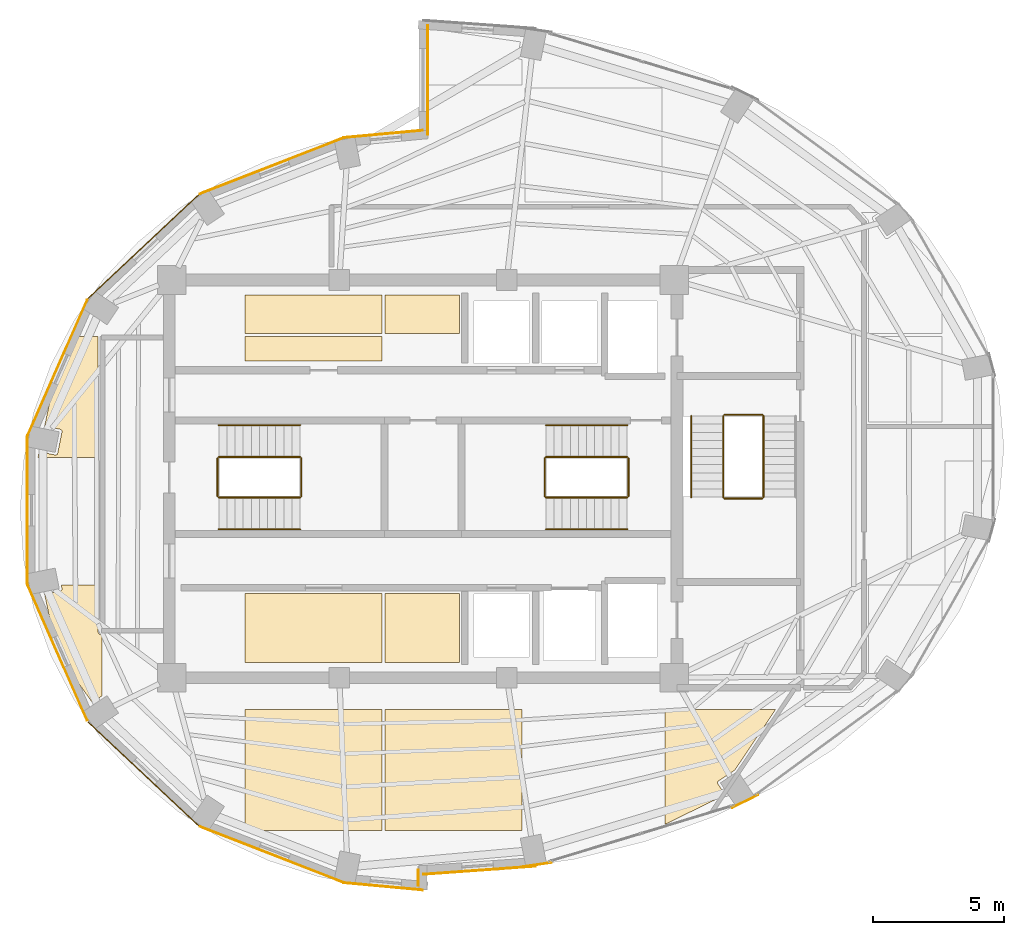
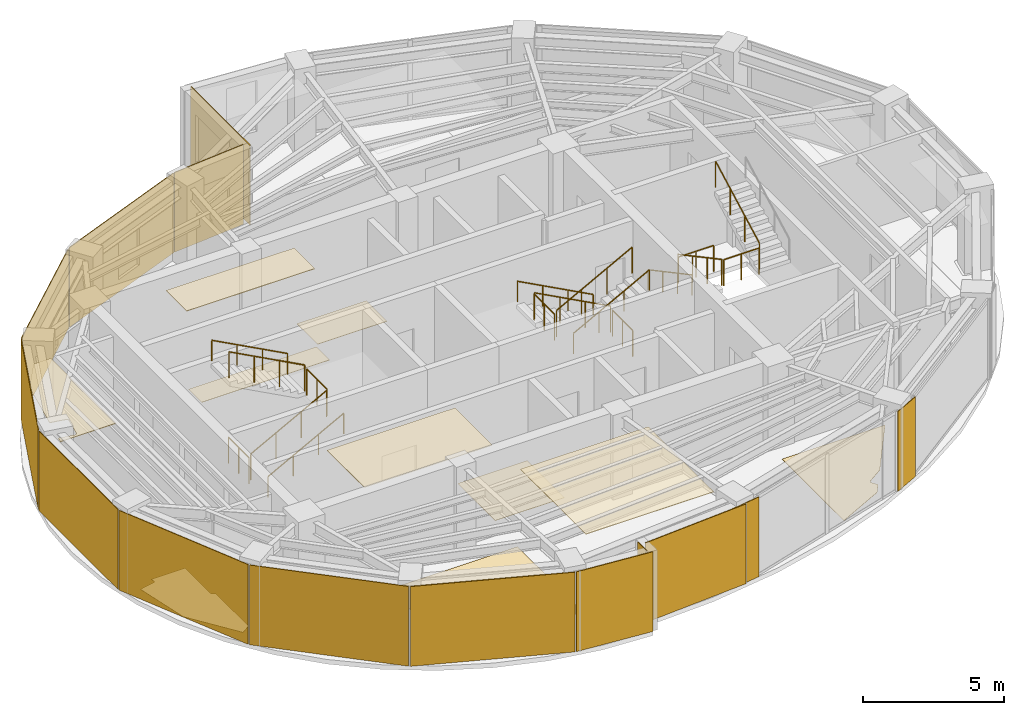
# One storey, part 11 of 12: 24 coverings, 17 railings.
"""IFC4 building model written with IfcOpenShell, lengths in metres."""

from ifc_helpers import new_model, si_unit, direction, frame, origin, origin_2d, place, context, subcontext, project, spatial, polyline, rectangle, circle, outline, extrude, material, layer, layer_set, type_object, element, save


model = new_model("IFC4")

# Units and contexts
model_context = context("Model", 3, precision=1e-05, world=origin(), true_north=direction((0.0, 1.0)))
body_context = subcontext(model_context, "Body", "Model", "MODEL_VIEW")
ifc_project = project(units=[si_unit("LENGTHUNIT", "METRE"), si_unit("AREAUNIT", "SQUARE_METRE"), si_unit("VOLUMEUNIT", "CUBIC_METRE"), si_unit("PLANEANGLEUNIT", "RADIAN"), si_unit("MASSUNIT", "GRAM", prefix="KILO")], contexts=[model_context])

# Site, building, storey
site_placement = place(None, origin())
site = spatial("IfcSite", under=ifc_project, at=site_placement, CompositionType="ELEMENT")
building_placement = place(site_placement, origin())
building = spatial("IfcBuilding", under=site, at=building_placement, Name="Lazwardi Medical Tower", CompositionType="ELEMENT")
storey_placement = place(building_placement, frame((0.0, 0.0, 291.50390625)))
storey = spatial("IfcBuildingStorey", under=building, at=storey_placement, Name="L76", CompositionType="ELEMENT", Elevation=291.50390625)

# Coverings
ifc_material_1 = material(Name="Anodised bronze aluminium cassette cladding", Category="aluminium")
ifc_layer_1 = layer(ifc_material_1, 0.030029296875)
ifc_layer_set_1 = layer_set([ifc_layer_1], Name="Anodised bronze aluminium cassette cladding")
covering_type_1 = type_object("IfcCoveringType", Name="COV-CLD-BRZ", PredefinedType="CLADDING", material=ifc_layer_set_1)
covering_1_placement = place(storey_placement, frame((40.3232421875, 13.25048828125, 0.0), z_axis=(0.0, 0.0, 1.0), x_axis=(0.989512431533, 0.144447733943, 0.0)))
element("IfcCovering", 1, at=covering_1_placement, inside=storey, type_object=covering_type_1, Name="L76 Mega-column bronze cassette cover M01", PredefinedType="CLADDING", context=body_context, shape_type="SweptSolid", body=[
    extrude(rectangle(XDim=1.188720703125, YDim=0.030029296875, at=origin_2d()), origin(), (0.0, 0.0, 1.0), 3.447998046875),
])
covering_2_placement = place(storey_placement, frame((48.311279296875, 15.6787109375, 0.0), z_axis=(0.0, 0.0, 1.0), x_axis=(0.897840141691, 0.440321564278, 0.0)))
element("IfcCovering", 2, at=covering_2_placement, inside=storey, type_object=covering_type_1, Name="L76 Mega-column bronze cassette cover M02", PredefinedType="CLADDING", context=body_context, shape_type="SweptSolid", body=[
    extrude(rectangle(XDim=1.110595703125, YDim=0.030029296875, at=origin_2d()), origin(), (0.0, 0.0, 1.0), 3.447998046875),
])
covering_3_placement = place(storey_placement, frame((25.31201171875, 36.870361328125, 0.0), z_axis=(0.0, 0.0, 1.0), x_axis=(-0.728254960063, -0.685306291481, 0.0)))
element("IfcCovering", 3, at=covering_3_placement, inside=storey, type_object=covering_type_1, Name="L76 West drum ceramic/bronze cladding", PredefinedType="CLADDING", context=body_context, shape_type="SweptSolid", body=[
    extrude(rectangle(XDim=5.78125, YDim=0.030029296875, at=origin_2d()), origin(), (0.0, 0.0, 1.0), 3.447998046875),
])
covering_4_placement = place(storey_placement, frame((22.032470703125, 32.25146484375, 0.0), z_axis=(0.0, 0.0, 1.0), x_axis=(-0.402877682365, -0.915253829848, 0.0)))
element("IfcCovering", 4, at=covering_4_placement, inside=storey, type_object=covering_type_1, Name="L76 West drum ceramic/bronze cladding", PredefinedType="CLADDING", context=body_context, shape_type="SweptSolid", body=[
    extrude(rectangle(XDim=5.65576171875, YDim=0.030029296875, at=origin_2d()), origin(), (0.0, 0.0, 1.0), 3.447998046875),
])
covering_5_placement = place(storey_placement, frame((20.880126953125, 26.800048828125, 0.0), z_axis=(0.0, 0.0, 1.0), x_axis=(0.0, -1.0, 0.0)))
element("IfcCovering", 5, at=covering_5_placement, inside=storey, type_object=covering_type_1, Name="L76 West drum ceramic/bronze cladding", PredefinedType="CLADDING", context=body_context, shape_type="SweptSolid", body=[
    extrude(rectangle(XDim=5.60302734375, YDim=0.030029296875, at=origin_2d()), origin(), (0.0, 0.0, 1.0), 3.447998046875),
])
covering_6_placement = place(storey_placement, frame((22.032470703125, 21.3486328125, 0.0), z_axis=(0.0, 0.0, 1.0), x_axis=(0.402877682365, -0.915253829848, 0.0)))
element("IfcCovering", 6, at=covering_6_placement, inside=storey, type_object=covering_type_1, Name="L76 West drum ceramic/bronze cladding", PredefinedType="CLADDING", context=body_context, shape_type="SweptSolid", body=[
    extrude(rectangle(XDim=5.65576171875, YDim=0.030029296875, at=origin_2d()), origin(), (0.0, 0.0, 1.0), 3.447998046875),
])
covering_7_placement = place(storey_placement, frame((25.31201171875, 16.7294921875, 0.0), z_axis=(0.0, 0.0, 1.0), x_axis=(0.728254960063, -0.685306291481, 0.0)))
element("IfcCovering", 7, at=covering_7_placement, inside=storey, type_object=covering_type_1, Name="L76 West drum ceramic/bronze cladding", PredefinedType="CLADDING", context=body_context, shape_type="SweptSolid", body=[
    extrude(rectangle(XDim=5.78125, YDim=0.030029296875, at=origin_2d()), origin(), (0.0, 0.0, 1.0), 3.447998046875),
])
ifc_material_2 = material(Name="Turquoise glazed ceramic tilework cladding", Category="masonry")
ifc_layer_2 = layer(ifc_material_2, 0.034912109375)
ifc_layer_set_2 = layer_set([ifc_layer_2], Name="Turquoise glazed ceramic tilework cladding")
covering_type_2 = type_object("IfcCoveringType", Name="COV-CLD-TRQ", PredefinedType="CLADDING", material=ifc_layer_set_2)
for number, where, z_axis, x_axis, name in (
    (8, (30.216064453125, 39.956787109375, 0.0), (0.0, 0.0, 1.0), (-0.931720388261, -0.363176428337, 0.0), "L76 West drum ceramic/bronze cladding"),
    (9, (30.216064453125, 13.64306640625, 0.0), (0.0, 0.0, 1.0), (0.931720388261, -0.363176428337, 0.0), "L76 West drum ceramic/bronze cladding"),
):
    element("IfcCovering", number, at=place(storey_placement, frame(where, z_axis=z_axis, x_axis=x_axis)), inside=storey, type_object=covering_type_2, Name=name, PredefinedType="CLADDING", context=body_context, shape_type="SweptSolid", body=[
        extrude(rectangle(XDim=5.904052734375, YDim=0.034912109375, at=origin_2d()), origin(), (0.0, 0.0, 1.0), 3.447998046875),
    ])
covering_8_placement = place(storey_placement, frame((38.16259765625, 13.0400390625, 0.0), z_axis=(0.0, 0.0, 1.0), x_axis=(0.997409491337, 0.071932653157, 0.0)))
element("IfcCovering", 10, at=covering_8_placement, inside=storey, type_object=covering_type_2, Name="L76 Turquoise glazed ceramic tilework cladding", PredefinedType="CLADDING", context=body_context, shape_type="SweptSolid", body=[
    extrude(rectangle(XDim=4.31103515625, YDim=0.034912109375, at=origin_2d()), origin(), (0.0, 0.0, 1.0), 3.447998046875),
])
for number, where, z_axis, x_axis, name in (
    (11, (34.4970703125, 41.177001953125, 0.0), (0.0, 0.0, 1.0), (-0.995733560537, -0.092275004312, 0.0), "L76 Turquoise glazed ceramic tilework cladding"),
    (12, (34.4970703125, 12.423095703125, 0.0), (0.0, 0.0, 1.0), (0.995733560537, -0.092275004312, 0.0), "L76 Turquoise glazed ceramic tilework cladding"),
):
    element("IfcCovering", number, at=place(storey_placement, frame(where, z_axis=z_axis, x_axis=x_axis)), inside=storey, type_object=covering_type_2, Name=name, PredefinedType="CLADDING", context=body_context, shape_type="SweptSolid", body=[
        extrude(rectangle(XDim=2.985595703125, YDim=0.034912109375, at=origin_2d()), origin(), (0.0, 0.0, 1.0), 3.447998046875),
    ])
covering_9_placement = place(storey_placement, frame((36.175537109375, 43.239990234375, 0.0), z_axis=(0.0, 0.0, 1.0), x_axis=(0.0, -1.0, 0.0)))
element("IfcCovering", 13, at=covering_9_placement, inside=storey, type_object=covering_type_2, Name="L76 Turquoise glazed ceramic tilework iwan panel", PredefinedType="CLADDING", context=body_context, shape_type="SweptSolid", body=[
    extrude(rectangle(XDim=4.199951171875, YDim=0.034912109375, at=origin_2d()), origin(), (0.0, 0.0, 1.0), 3.447998046875),
])
covering_10_placement = place(storey_placement, frame((35.824462890625, 12.760009765625, 0.0), z_axis=(0.0, 0.0, 1.0), x_axis=(0.0, 1.0, 0.0)))
element("IfcCovering", 14, at=covering_10_placement, inside=storey, type_object=covering_type_2, Name="L76 Turquoise glazed ceramic tilework iwan panel", PredefinedType="CLADDING", context=body_context, shape_type="SweptSolid", body=[
    extrude(rectangle(XDim=0.60009765625, YDim=0.034912109375, at=origin_2d()), origin(), (0.0, 0.0, 1.0), 3.447998046875),
])
ifc_material_3 = material(Name="Acoustic mineral fibre tile")
ifc_layer_3 = layer(ifc_material_3, 0.02490234375)
ifc_layer_set_3 = layer_set([ifc_layer_3], Name="Acoustic mineral fibre tile")
covering_type_3 = type_object("IfcCoveringType", Name="COV-CLG-01", PredefinedType="CEILING", material=ifc_layer_set_3)
covering_11_placement = place(storey_placement, frame((0.0, 0.0, 3.302978515625)))
element("IfcCovering", 15, at=covering_11_placement, inside=storey, type_object=covering_type_3, Name="L76 Clinical Acoustic Ceiling 1", PredefinedType="CEILING", context=body_context, shape_type="SweptSolid", body=[
    extrude(outline(polyline([(22.85791015625, 33.436279296875), (22.013427734375, 32.247314453125), (21.54052734375, 30.010498046875), (22.14111328125, 29.89111328125), (22.148681640625, 29.88916015625), (22.156005859375, 29.886474609375), (22.1630859375, 29.883056640625), (22.169921875, 29.87890625), (22.17626953125, 29.874267578125), (22.181884765625, 29.869140625), (22.187255859375, 29.86328125), (22.19189453125, 29.85693359375), (22.196044921875, 29.85009765625), (22.19921875, 29.843017578125), (22.201904296875, 29.835693359375), (22.203857421875, 29.828125), (22.205078125, 29.8203125), (22.205322265625, 29.8125), (22.205078125, 29.8046875), (22.203857421875, 29.796875), (22.0400390625, 28.97314453125), (22.0380859375, 28.965576171875), (22.035400390625, 28.9580078125), (22.031982421875, 28.950927734375), (22.028076171875, 28.9443359375), (22.023193359375, 28.93798828125), (22.01806640625, 28.93212890625), (22.01220703125, 28.927001953125), (22.005859375, 28.922119140625), (21.999267578125, 28.918212890625), (21.9921875, 28.914794921875), (21.984619140625, 28.912109375), (21.97705078125, 28.91015625), (21.96923828125, 28.9091796875), (21.96142578125, 28.90869140625), (21.95361328125, 28.9091796875), (21.94580078125, 28.91015625), (21.33349609375, 29.031982421875), (21.285888671875, 28.806396484375), (23.574951171875, 28.806396484375), (23.574951171875, 33.39990234375), (23.5751953125, 33.404296875), (23.57568359375, 33.41357421875), (23.576416015625, 33.42041015625), (23.57763671875, 33.4296875), (23.578857421875, 33.436279296875), (22.85791015625, 33.436279296875)])), origin(), (0.0, 0.0, 1.0), 0.025146484375),
])
covering_12_placement = place(storey_placement, frame((0.0, 0.0, 3.302978515625)))
element("IfcCovering", 16, at=covering_12_placement, inside=storey, type_object=covering_type_3, Name="L76 Clinical Acoustic Ceiling 2", PredefinedType="CEILING", context=body_context, shape_type="SweptSolid", body=[
    extrude(outline(polyline([(34.431884765625, 23.6201171875), (29.201904296875, 23.6201171875), (29.201904296875, 20.97998046875), (34.431884765625, 20.97998046875), (34.431884765625, 23.6201171875)])), origin(), (0.0, 0.0, 1.0), 0.025146484375),
])
covering_13_placement = place(storey_placement, frame((0.0, 0.0, 3.302978515625)))
element("IfcCovering", 17, at=covering_13_placement, inside=storey, type_object=covering_type_3, Name="L76 Clinical Acoustic Ceiling 3", PredefinedType="CEILING", context=body_context, shape_type="SweptSolid", body=[
    extrude(outline(polyline([(34.431884765625, 35.02001953125), (29.201904296875, 35.02001953125), (29.201904296875, 33.556396484375), (34.431884765625, 33.556396484375), (34.431884765625, 35.02001953125)])), origin(), (0.0, 0.0, 1.0), 0.025146484375),
])
covering_14_placement = place(storey_placement, frame((0.0, 0.0, 3.302978515625)))
element("IfcCovering", 18, at=covering_14_placement, inside=storey, type_object=covering_type_3, Name="L76 Clinical Acoustic Ceiling 4", PredefinedType="CEILING", context=body_context, shape_type="SweptSolid", body=[
    extrude(outline(polyline([(39.78173828125, 14.556396484375), (39.78173828125, 19.186279296875), (34.5517578125, 19.186279296875), (34.5517578125, 14.556396484375), (39.78173828125, 14.556396484375)])), origin(), (0.0, 0.0, 1.0), 0.025146484375),
])
ifc_material_4 = material(Name="Anti-static hospital vinyl sheet flooring")
ifc_layer_4 = layer(ifc_material_4, 0.014892578125)
ifc_layer_set_4 = layer_set([ifc_layer_4], Name="Anti-static hospital vinyl sheet flooring")
covering_type_4 = type_object("IfcCoveringType", Name="COV-FLR-01", PredefinedType="FLOORING", material=ifc_layer_set_4)
covering_15_placement = place(storey_placement, origin())
element("IfcCovering", 19, at=covering_15_placement, inside=storey, type_object=covering_type_4, Name="L76 Clinical Vinyl Flooring 1", PredefinedType="FLOORING", context=body_context, shape_type="SweptSolid", body=[
    extrude(outline(polyline([(23.731689453125, 22.026123046875), (23.7294921875, 22.0263671875), (23.72021484375, 22.027587890625), (23.7119140625, 22.029296875), (23.702880859375, 22.031494140625), (23.69580078125, 22.03369140625), (23.68701171875, 22.03662109375), (23.67919921875, 22.0400390625), (23.6708984375, 22.0439453125), (23.6640625, 22.047607421875), (23.656005859375, 22.052490234375), (23.6494140625, 22.056884765625), (23.641845703125, 22.0625), (23.63623046875, 22.067138671875), (23.62939453125, 22.0732421875), (23.623291015625, 22.079345703125), (23.6171875, 22.086181640625), (23.612548828125, 22.091796875), (23.60693359375, 22.099365234375), (23.602294921875, 22.10595703125), (23.59765625, 22.114013671875), (23.593994140625, 22.120849609375), (23.590087890625, 22.129150390625), (23.586669921875, 22.136962890625), (23.58349609375, 22.145751953125), (23.58154296875, 22.15283203125), (23.5791015625, 22.161865234375), (23.57763671875, 22.17041015625), (23.576416015625, 22.179443359375), (23.57568359375, 22.186279296875), (23.5751953125, 22.19580078125), (23.574951171875, 22.199951171875), (23.574951171875, 23.936279296875), (22.177490234375, 23.936279296875), (22.203857421875, 23.802978515625), (22.205078125, 23.79541015625), (22.205322265625, 23.78759765625), (22.205078125, 23.77978515625), (22.203857421875, 23.77197265625), (22.201904296875, 23.764404296875), (22.19921875, 23.7568359375), (22.196044921875, 23.749755859375), (22.19189453125, 23.7431640625), (22.187255859375, 23.73681640625), (22.181884765625, 23.73095703125), (22.17626953125, 23.7255859375), (22.169921875, 23.720947265625), (22.1630859375, 23.716796875), (22.156005859375, 23.713623046875), (22.148681640625, 23.7109375), (22.14111328125, 23.708984375), (21.54052734375, 23.589599609375), (22.013427734375, 21.352783203125), (23.360595703125, 19.455810546875), (23.731689453125, 19.7041015625), (23.731689453125, 22.026123046875)])), origin(), (0.0, 0.0, 1.0), 0.01513671875),
])
covering_16_placement = place(storey_placement, origin())
element("IfcCovering", 20, at=covering_16_placement, inside=storey, type_object=covering_type_4, Name="L76 Clinical Vinyl Flooring 2", PredefinedType="FLOORING", context=body_context, shape_type="SweptSolid", body=[
    extrude(outline(polyline([(34.431884765625, 14.556396484375), (34.431884765625, 19.186279296875), (29.201904296875, 19.186279296875), (29.201904296875, 14.556396484375), (34.431884765625, 14.556396484375)])), origin(), (0.0, 0.0, 1.0), 0.01513671875),
])
covering_17_placement = place(storey_placement, origin())
element("IfcCovering", 21, at=covering_17_placement, inside=storey, type_object=covering_type_4, Name="L76 Clinical Vinyl Flooring 3", PredefinedType="FLOORING", context=body_context, shape_type="SweptSolid", body=[
    extrude(outline(polyline([(29.201904296875, 32.5), (34.431884765625, 32.5), (34.431884765625, 33.436279296875), (29.201904296875, 33.436279296875), (29.201904296875, 32.5)])), origin(), (0.0, 0.0, 1.0), 0.01513671875),
])
covering_18_placement = place(storey_placement, origin())
element("IfcCovering", 22, at=covering_18_placement, inside=storey, type_object=covering_type_4, Name="L76 Clinical Vinyl Flooring 4", PredefinedType="FLOORING", context=body_context, shape_type="SweptSolid", body=[
    extrude(outline(polyline([(34.5517578125, 20.97998046875), (37.389892578125, 20.97998046875), (37.389892578125, 23.6201171875), (34.5517578125, 23.6201171875), (34.5517578125, 20.97998046875)])), origin(), (0.0, 0.0, 1.0), 0.01513671875),
])
covering_19_placement = place(storey_placement, origin())
element("IfcCovering", 23, at=covering_19_placement, inside=storey, type_object=covering_type_4, Name="L76 Clinical Vinyl Flooring 5", PredefinedType="FLOORING", context=body_context, shape_type="SweptSolid", body=[
    extrude(outline(polyline([(37.389892578125, 33.556396484375), (37.389892578125, 35.02001953125), (34.5517578125, 35.02001953125), (34.5517578125, 33.556396484375), (37.389892578125, 33.556396484375)])), origin(), (0.0, 0.0, 1.0), 0.01513671875),
])
covering_20_placement = place(storey_placement, origin())
element("IfcCovering", 24, at=covering_20_placement, inside=storey, type_object=covering_type_4, Name="L76 Clinical Vinyl Flooring 7", PredefinedType="FLOORING", context=body_context, shape_type="SweptSolid", body=[
    extrude(outline(polyline([(45.251708984375, 14.7998046875), (47.14599609375, 15.726318359375), (47.413330078125, 16.12451171875), (47.267822265625, 16.342041015625), (47.263916015625, 16.348876953125), (47.260498046875, 16.35595703125), (47.2578125, 16.36328125), (47.255859375, 16.370849609375), (47.2548828125, 16.378662109375), (47.25439453125, 16.386474609375), (47.2548828125, 16.394287109375), (47.255859375, 16.402099609375), (47.2578125, 16.40966796875), (47.260498046875, 16.4169921875), (47.263916015625, 16.42431640625), (47.267822265625, 16.430908203125), (47.272705078125, 16.437255859375), (47.27783203125, 16.443115234375), (47.28369140625, 16.4482421875), (47.2900390625, 16.452880859375), (47.913818359375, 16.869873046875), (49.46923828125, 19.186279296875), (45.251708984375, 19.186279296875), (45.251708984375, 14.7998046875)])), origin(), (0.0, 0.0, 1.0), 0.01513671875),
])

# Railings
ifc_material_5 = material(Name="Stainless steel Grade 316", Category="steel")
railing_type_1 = type_object("IfcRailingType", Name="RLG-GRD-1150", PredefinedType="GUARDRAIL", material=ifc_material_5)
railing_1_placement = place(storey_placement, frame((28.199951171875, 27.2900390625, 0.166015625)))
element("IfcRailing", 25, at=railing_1_placement, inside=storey, type_object=railing_type_1, Name="L76 ST1 stair guard 1", PredefinedType="GUARDRAIL", context=body_context, shape_type="SweptSolid", body=[
    extrude(circle(Radius=0.02392578125, at=origin_2d()), frame((0.0, 0.0, 1.1259765625), z_axis=(0.881812178953, 0.0, 0.471600764472), x_axis=(0.0, 1.0, 0.0)), (0.0, 0.0, 1.0), 3.515625),
    extrude(circle(Radius=0.02099609375, at=origin_2d()), origin(), (0.0, 0.0, 1.0), 1.099853515625),
    extrude(circle(Radius=0.02099609375, at=origin_2d()), frame((1.033447265625, 0.0, 0.552734375)), (0.0, 0.0, 1.0), 1.099853515625),
    extrude(circle(Radius=0.02099609375, at=origin_2d()), frame((2.066650390625, 0.0, 1.105224609375)), (0.0, 0.0, 1.0), 1.099853515625),
    extrude(circle(Radius=0.02099609375, at=origin_2d()), frame((3.10009765625, 0.0, 1.657958984375)), (0.0, 0.0, 1.0), 1.099853515625),
])
railing_2_placement = place(storey_placement, frame((31.35009765625, 27.340087890625, 1.823974609375)))
element("IfcRailing", 26, at=railing_2_placement, inside=storey, type_object=railing_type_1, Name="L76 ST1 stair guard 2", PredefinedType="GUARDRAIL", context=body_context, shape_type="SweptSolid", body=[
    extrude(circle(Radius=0.02392578125, at=origin_2d()), frame((0.0, 0.0, 1.1259765625), z_axis=(0.0, 1.0, 0.0), x_axis=(-1.0, 0.0, 0.0)), (0.0, 0.0, 1.0), 1.43994140625),
    extrude(circle(Radius=0.02099609375, at=origin_2d()), origin(), (0.0, 0.0, 1.0), 1.099853515625),
    extrude(circle(Radius=0.02099609375, at=origin_2d()), frame((0.0, 0.719970703125, 0.0)), (0.0, 0.0, 1.0), 1.099853515625),
    extrude(circle(Radius=0.02099609375, at=origin_2d()), frame((0.0, 1.43994140625, 0.0)), (0.0, 0.0, 1.0), 1.099853515625),
])
railing_3_placement = place(storey_placement, frame((31.300048828125, 28.830078125, 1.989990234375)))
element("IfcRailing", 27, at=railing_3_placement, inside=storey, type_object=railing_type_1, Name="L76 ST1 stair guard 3", PredefinedType="GUARDRAIL", context=body_context, shape_type="SweptSolid", body=[
    extrude(circle(Radius=0.02392578125, at=origin_2d()), frame((0.0, 0.0, 1.1259765625), z_axis=(-0.881783298633, 0.0, 0.471654761719), x_axis=(0.0, -1.0, 0.0)), (0.0, 0.0, 1.0), 3.515625),
    extrude(circle(Radius=0.02099609375, at=origin_2d()), origin(), (0.0, 0.0, 1.0), 1.099853515625),
    extrude(circle(Radius=0.02099609375, at=origin_2d()), frame((-1.033447265625, 0.0, 0.552734375)), (0.0, 0.0, 1.0), 1.099853515625),
    extrude(circle(Radius=0.02099609375, at=origin_2d()), frame((-2.066650390625, 0.0, 1.10546875)), (0.0, 0.0, 1.0), 1.099853515625),
    extrude(circle(Radius=0.02099609375, at=origin_2d()), frame((-3.10009765625, 0.0, 1.658203125)), (0.0, 0.0, 1.0), 1.099853515625),
])
railing_4_placement = place(storey_placement, frame((28.14990234375, 27.340087890625, 0.0)))
element("IfcRailing", 28, at=railing_4_placement, inside=storey, type_object=railing_type_1, Name="L76 ST1 stair guard 4", PredefinedType="GUARDRAIL", context=body_context, shape_type="SweptSolid", body=[
    extrude(circle(Radius=0.02392578125, at=origin_2d()), frame((0.0, 0.0, 1.1259765625), z_axis=(0.0, 1.0, 0.0), x_axis=(-1.0, 0.0, 0.0)), (0.0, 0.0, 1.0), 1.43994140625),
    extrude(circle(Radius=0.02099609375, at=origin_2d()), origin(), (0.0, 0.0, 1.0), 1.099853515625),
    extrude(circle(Radius=0.02099609375, at=origin_2d()), frame((0.0, 0.719970703125, 0.0)), (0.0, 0.0, 1.0), 1.099853515625),
    extrude(circle(Radius=0.02099609375, at=origin_2d()), frame((0.0, 1.43994140625, 0.0)), (0.0, 0.0, 1.0), 1.099853515625),
])
railing_5_placement = place(storey_placement, frame((43.800048828125, 28.830078125, 0.166015625)))
element("IfcRailing", 29, at=railing_5_placement, inside=storey, type_object=railing_type_1, Name="L76 ST2 stair guard 1", PredefinedType="GUARDRAIL", context=body_context, shape_type="SweptSolid", body=[
    extrude(circle(Radius=0.02392578125, at=origin_2d()), frame((0.0, 0.0, 1.1259765625), z_axis=(-0.881812178953, 0.0, 0.471600764472), x_axis=(0.0, -1.0, 0.0)), (0.0, 0.0, 1.0), 3.515625),
    extrude(circle(Radius=0.02099609375, at=origin_2d()), origin(), (0.0, 0.0, 1.0), 1.099853515625),
    extrude(circle(Radius=0.02099609375, at=origin_2d()), frame((-1.033447265625, 0.0, 0.552734375)), (0.0, 0.0, 1.0), 1.099853515625),
    extrude(circle(Radius=0.02099609375, at=origin_2d()), frame((-2.066650390625, 0.0, 1.105224609375)), (0.0, 0.0, 1.0), 1.099853515625),
    extrude(circle(Radius=0.02099609375, at=origin_2d()), frame((-3.10009765625, 0.0, 1.657958984375)), (0.0, 0.0, 1.0), 1.099853515625),
])
railing_6_placement = place(storey_placement, frame((40.64990234375, 28.780029296875, 1.823974609375)))
element("IfcRailing", 30, at=railing_6_placement, inside=storey, type_object=railing_type_1, Name="L76 ST2 stair guard 2", PredefinedType="GUARDRAIL", context=body_context, shape_type="SweptSolid", body=[
    extrude(circle(Radius=0.02392578125, at=origin_2d()), frame((0.0, 0.0, 1.1259765625), z_axis=(0.0, -1.0, 0.0), x_axis=(1.0, 0.0, 0.0)), (0.0, 0.0, 1.0), 1.43994140625),
    extrude(circle(Radius=0.02099609375, at=origin_2d()), origin(), (0.0, 0.0, 1.0), 1.099853515625),
    extrude(circle(Radius=0.02099609375, at=origin_2d()), frame((0.0, -0.719970703125, 0.0)), (0.0, 0.0, 1.0), 1.099853515625),
    extrude(circle(Radius=0.02099609375, at=origin_2d()), frame((0.0, -1.43994140625, 0.0)), (0.0, 0.0, 1.0), 1.099853515625),
])
railing_7_placement = place(storey_placement, frame((40.699951171875, 27.2900390625, 1.989990234375)))
element("IfcRailing", 31, at=railing_7_placement, inside=storey, type_object=railing_type_1, Name="L76 ST2 stair guard 3", PredefinedType="GUARDRAIL", context=body_context, shape_type="SweptSolid", body=[
    extrude(circle(Radius=0.02392578125, at=origin_2d()), frame((0.0, 0.0, 1.1259765625), z_axis=(0.881783298633, 0.0, 0.471654761719), x_axis=(0.0, 1.0, 0.0)), (0.0, 0.0, 1.0), 3.515625),
    extrude(circle(Radius=0.02099609375, at=origin_2d()), origin(), (0.0, 0.0, 1.0), 1.099853515625),
    extrude(circle(Radius=0.02099609375, at=origin_2d()), frame((1.033447265625, 0.0, 0.552734375)), (0.0, 0.0, 1.0), 1.099853515625),
    extrude(circle(Radius=0.02099609375, at=origin_2d()), frame((2.066650390625, 0.0, 1.10546875)), (0.0, 0.0, 1.0), 1.099853515625),
    extrude(circle(Radius=0.02099609375, at=origin_2d()), frame((3.10009765625, 0.0, 1.658203125)), (0.0, 0.0, 1.0), 1.099853515625),
])
railing_8_placement = place(storey_placement, frame((43.85009765625, 28.780029296875, 0.0)))
element("IfcRailing", 32, at=railing_8_placement, inside=storey, type_object=railing_type_1, Name="L76 ST2 stair guard 4", PredefinedType="GUARDRAIL", context=body_context, shape_type="SweptSolid", body=[
    extrude(circle(Radius=0.02392578125, at=origin_2d()), frame((0.0, 0.0, 1.1259765625), z_axis=(0.0, -1.0, 0.0), x_axis=(1.0, 0.0, 0.0)), (0.0, 0.0, 1.0), 1.43994140625),
    extrude(circle(Radius=0.02099609375, at=origin_2d()), origin(), (0.0, 0.0, 1.0), 1.099853515625),
    extrude(circle(Radius=0.02099609375, at=origin_2d()), frame((0.0, -0.719970703125, 0.0)), (0.0, 0.0, 1.0), 1.099853515625),
    extrude(circle(Radius=0.02099609375, at=origin_2d()), frame((0.0, -1.43994140625, 0.0)), (0.0, 0.0, 1.0), 1.099853515625),
])
railing_9_placement = place(storey_placement, frame((47.469970703125, 30.39990234375, 0.166015625)))
element("IfcRailing", 33, at=railing_9_placement, inside=storey, type_object=railing_type_1, Name="L76 ST3 stair guard 1", PredefinedType="GUARDRAIL", context=body_context, shape_type="SweptSolid", body=[
    extrude(circle(Radius=0.02392578125, at=origin_2d()), frame((0.0, 0.0, 1.1259765625), z_axis=(0.0, -0.881796732468, 0.4716296456), x_axis=(1.0, 0.0, 0.0)), (0.0, 0.0, 1.0), 3.515380859375),
    extrude(circle(Radius=0.02099609375, at=origin_2d()), origin(), (0.0, 0.0, 1.0), 1.099853515625),
    extrude(circle(Radius=0.02099609375, at=origin_2d()), frame((0.0, -1.033203125, 0.552734375)), (0.0, 0.0, 1.0), 1.099853515625),
    extrude(circle(Radius=0.02099609375, at=origin_2d()), frame((0.0, -2.066650390625, 1.105224609375)), (0.0, 0.0, 1.0), 1.099853515625),
    extrude(circle(Radius=0.02099609375, at=origin_2d()), frame((0.0, -3.099853515625, 1.657958984375)), (0.0, 0.0, 1.0), 1.099853515625),
])
railing_10_placement = place(storey_placement, frame((47.52001953125, 27.25, 1.823974609375)))
element("IfcRailing", 34, at=railing_10_placement, inside=storey, type_object=railing_type_1, Name="L76 ST3 stair guard 2", PredefinedType="GUARDRAIL", context=body_context, shape_type="SweptSolid", body=[
    extrude(circle(Radius=0.02392578125, at=origin_2d()), frame((0.0, 0.0, 1.1259765625), z_axis=(1.0, 0.0, 0.0), x_axis=(0.0, 1.0, 0.0)), (0.0, 0.0, 1.0), 1.43994140625),
    extrude(circle(Radius=0.02099609375, at=origin_2d()), origin(), (0.0, 0.0, 1.0), 1.099853515625),
    extrude(circle(Radius=0.02099609375, at=origin_2d()), frame((0.719970703125, 0.0, 0.0)), (0.0, 0.0, 1.0), 1.099853515625),
    extrude(circle(Radius=0.02099609375, at=origin_2d()), frame((1.43994140625, 0.0, 0.0)), (0.0, 0.0, 1.0), 1.099853515625),
])
railing_11_placement = place(storey_placement, frame((49.010009765625, 27.300048828125, 1.989990234375)))
element("IfcRailing", 35, at=railing_11_placement, inside=storey, type_object=railing_type_1, Name="L76 ST3 stair guard 3", PredefinedType="GUARDRAIL", context=body_context, shape_type="SweptSolid", body=[
    extrude(circle(Radius=0.02392578125, at=origin_2d()), frame((0.0, 0.0, 1.1259765625), z_axis=(0.0, 0.881767849116, 0.471683644262), x_axis=(-1.0, 0.0, 0.0)), (0.0, 0.0, 1.0), 3.515380859375),
    extrude(circle(Radius=0.02099609375, at=origin_2d()), origin(), (0.0, 0.0, 1.0), 1.099853515625),
    extrude(circle(Radius=0.02099609375, at=origin_2d()), frame((0.0, 1.033203125, 0.552734375)), (0.0, 0.0, 1.0), 1.099853515625),
    extrude(circle(Radius=0.02099609375, at=origin_2d()), frame((0.0, 2.066650390625, 1.10546875)), (0.0, 0.0, 1.0), 1.099853515625),
    extrude(circle(Radius=0.02099609375, at=origin_2d()), frame((0.0, 3.099853515625, 1.658203125)), (0.0, 0.0, 1.0), 1.099853515625),
])
railing_12_placement = place(storey_placement, frame((47.52001953125, 30.449951171875, 0.0)))
element("IfcRailing", 36, at=railing_12_placement, inside=storey, type_object=railing_type_1, Name="L76 ST3 stair guard 4", PredefinedType="GUARDRAIL", context=body_context, shape_type="SweptSolid", body=[
    extrude(circle(Radius=0.02392578125, at=origin_2d()), frame((0.0, 0.0, 1.1259765625), z_axis=(1.0, 0.0, 0.0), x_axis=(0.0, 1.0, 0.0)), (0.0, 0.0, 1.0), 1.43994140625),
    extrude(circle(Radius=0.02099609375, at=origin_2d()), origin(), (0.0, 0.0, 1.0), 1.099853515625),
    extrude(circle(Radius=0.02099609375, at=origin_2d()), frame((0.719970703125, 0.0, 0.0)), (0.0, 0.0, 1.0), 1.099853515625),
    extrude(circle(Radius=0.02099609375, at=origin_2d()), frame((1.43994140625, 0.0, 0.0)), (0.0, 0.0, 1.0), 1.099853515625),
])
railing_type_2 = type_object("IfcRailingType", Name="RLG-HND-920", PredefinedType="HANDRAIL", material=ifc_material_5)
railing_13_placement = place(storey_placement, frame((28.199951171875, 26.070068359375, 0.166015625)))
element("IfcRailing", 37, at=railing_13_placement, inside=storey, type_object=railing_type_2, Name="L76 ST1 stair handrail 1", PredefinedType="HANDRAIL", context=body_context, shape_type="SweptSolid", body=[
    extrude(circle(Radius=0.02392578125, at=origin_2d()), frame((0.0, 0.0, 0.8857421875), z_axis=(0.881812178953, 0.0, 0.471600764472), x_axis=(0.0, 1.0, 0.0)), (0.0, 0.0, 1.0), 3.515625),
    extrude(circle(Radius=0.02099609375, at=origin_2d()), origin(), (0.0, 0.0, 1.0), 0.85986328125),
    extrude(circle(Radius=0.02099609375, at=origin_2d()), frame((1.033447265625, 0.0, 0.552734375)), (0.0, 0.0, 1.0), 0.85986328125),
    extrude(circle(Radius=0.02099609375, at=origin_2d()), frame((2.066650390625, 0.0, 1.105224609375)), (0.0, 0.0, 1.0), 0.85986328125),
    extrude(circle(Radius=0.02099609375, at=origin_2d()), frame((3.10009765625, 0.0, 1.657958984375)), (0.0, 0.0, 1.0), 0.85986328125),
])
railing_14_placement = place(storey_placement, frame((31.300048828125, 30.050048828125, 1.989990234375)))
element("IfcRailing", 38, at=railing_14_placement, inside=storey, type_object=railing_type_2, Name="L76 ST1 stair handrail 2", PredefinedType="HANDRAIL", context=body_context, shape_type="SweptSolid", body=[
    extrude(circle(Radius=0.02392578125, at=origin_2d()), frame((0.0, 0.0, 0.8857421875), z_axis=(-0.881783298633, 0.0, 0.471654761719), x_axis=(0.0, -1.0, 0.0)), (0.0, 0.0, 1.0), 3.515625),
    extrude(circle(Radius=0.02099609375, at=origin_2d()), origin(), (0.0, 0.0, 1.0), 0.85986328125),
    extrude(circle(Radius=0.02099609375, at=origin_2d()), frame((-1.033447265625, 0.0, 0.552734375)), (0.0, 0.0, 1.0), 0.85986328125),
    extrude(circle(Radius=0.02099609375, at=origin_2d()), frame((-2.066650390625, 0.0, 1.10546875)), (0.0, 0.0, 1.0), 0.85986328125),
    extrude(circle(Radius=0.02099609375, at=origin_2d()), frame((-3.10009765625, 0.0, 1.658203125)), (0.0, 0.0, 1.0), 0.85986328125),
])
railing_15_placement = place(storey_placement, frame((43.800048828125, 30.050048828125, 0.166015625)))
element("IfcRailing", 39, at=railing_15_placement, inside=storey, type_object=railing_type_2, Name="L76 ST2 stair handrail 1", PredefinedType="HANDRAIL", context=body_context, shape_type="SweptSolid", body=[
    extrude(circle(Radius=0.02392578125, at=origin_2d()), frame((0.0, 0.0, 0.8857421875), z_axis=(-0.881812178953, 0.0, 0.471600764472), x_axis=(0.0, -1.0, 0.0)), (0.0, 0.0, 1.0), 3.515625),
    extrude(circle(Radius=0.02099609375, at=origin_2d()), origin(), (0.0, 0.0, 1.0), 0.85986328125),
    extrude(circle(Radius=0.02099609375, at=origin_2d()), frame((-1.033447265625, 0.0, 0.552734375)), (0.0, 0.0, 1.0), 0.85986328125),
    extrude(circle(Radius=0.02099609375, at=origin_2d()), frame((-2.066650390625, 0.0, 1.105224609375)), (0.0, 0.0, 1.0), 0.85986328125),
    extrude(circle(Radius=0.02099609375, at=origin_2d()), frame((-3.10009765625, 0.0, 1.657958984375)), (0.0, 0.0, 1.0), 0.85986328125),
])
railing_16_placement = place(storey_placement, frame((40.699951171875, 26.070068359375, 1.989990234375)))
element("IfcRailing", 40, at=railing_16_placement, inside=storey, type_object=railing_type_2, Name="L76 ST2 stair handrail 2", PredefinedType="HANDRAIL", context=body_context, shape_type="SweptSolid", body=[
    extrude(circle(Radius=0.02392578125, at=origin_2d()), frame((0.0, 0.0, 0.8857421875), z_axis=(0.881783298633, 0.0, 0.471654761719), x_axis=(0.0, 1.0, 0.0)), (0.0, 0.0, 1.0), 3.515625),
    extrude(circle(Radius=0.02099609375, at=origin_2d()), origin(), (0.0, 0.0, 1.0), 0.85986328125),
    extrude(circle(Radius=0.02099609375, at=origin_2d()), frame((1.033447265625, 0.0, 0.552734375)), (0.0, 0.0, 1.0), 0.85986328125),
    extrude(circle(Radius=0.02099609375, at=origin_2d()), frame((2.066650390625, 0.0, 1.10546875)), (0.0, 0.0, 1.0), 0.85986328125),
    extrude(circle(Radius=0.02099609375, at=origin_2d()), frame((3.10009765625, 0.0, 1.658203125)), (0.0, 0.0, 1.0), 0.85986328125),
])
railing_17_placement = place(storey_placement, frame((46.25, 30.39990234375, 0.166015625)))
element("IfcRailing", 41, at=railing_17_placement, inside=storey, type_object=railing_type_2, Name="L76 ST3 stair handrail 1", PredefinedType="HANDRAIL", context=body_context, shape_type="SweptSolid", body=[
    extrude(circle(Radius=0.02392578125, at=origin_2d()), frame((0.0, 0.0, 0.8857421875), z_axis=(0.0, -0.881796732468, 0.4716296456), x_axis=(1.0, 0.0, 0.0)), (0.0, 0.0, 1.0), 3.515380859375),
    extrude(circle(Radius=0.02099609375, at=origin_2d()), origin(), (0.0, 0.0, 1.0), 0.85986328125),
    extrude(circle(Radius=0.02099609375, at=origin_2d()), frame((0.0, -1.033203125, 0.552734375)), (0.0, 0.0, 1.0), 0.85986328125),
    extrude(circle(Radius=0.02099609375, at=origin_2d()), frame((0.0, -2.066650390625, 1.105224609375)), (0.0, 0.0, 1.0), 0.85986328125),
    extrude(circle(Radius=0.02099609375, at=origin_2d()), frame((0.0, -3.099853515625, 1.657958984375)), (0.0, 0.0, 1.0), 0.85986328125),
])

save(model, "model.ifc")
